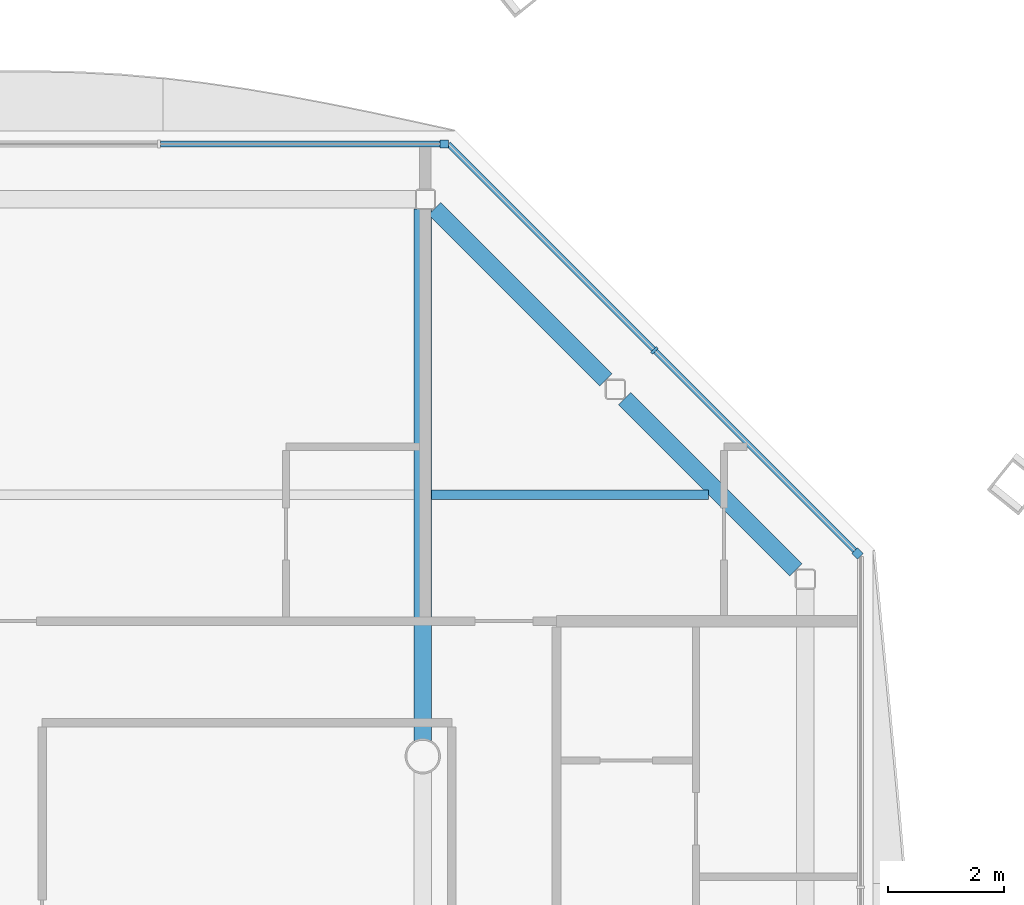
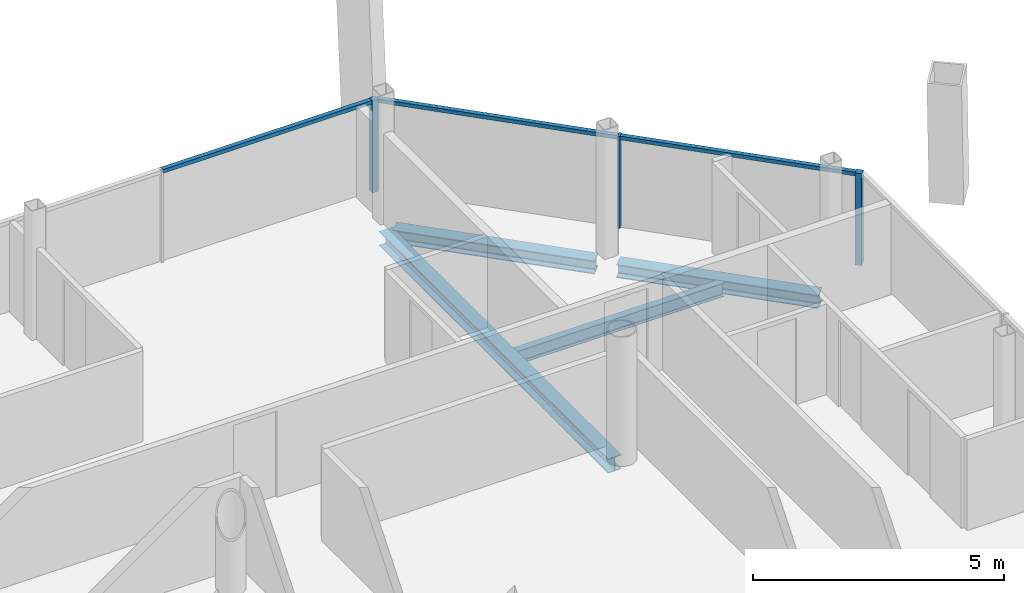
# One storey, part 10 of 19: 6 members, 4 beams, 2 elements without a shape of their own.
"""IFC4 building model written with IfcOpenShell, lengths in metres."""

from ifc_helpers import new_model, si_unit, direction, frame, origin, origin_2d, place, context, subcontext, project, spatial, rectangle, i_section, extrude, material, material_profile, profile_set, type_object, element, aggregate, save


model = new_model("IFC4")

# Units and contexts
model_context = context("Model", 3, precision=1e-05, world=origin(), true_north=direction((0.0, 1.0)))
body_context = subcontext(model_context, "Body", "Model", "MODEL_VIEW")
ifc_project = project(units=[si_unit("LENGTHUNIT", "METRE"), si_unit("AREAUNIT", "SQUARE_METRE"), si_unit("VOLUMEUNIT", "CUBIC_METRE"), si_unit("PLANEANGLEUNIT", "RADIAN"), si_unit("MASSUNIT", "GRAM", prefix="KILO")], contexts=[model_context])

# Site, building, storey
site_placement = place(None, origin())
site = spatial("IfcSite", under=ifc_project, at=site_placement, CompositionType="ELEMENT")
building_placement = place(site_placement, origin())
building = spatial("IfcBuilding", under=site, at=building_placement, Name="Tskaro Facet Tower", CompositionType="ELEMENT")
storey_placement = place(building_placement, frame((0.0, 0.0, 206.85009765625)))
storey = spatial("IfcBuildingStorey", under=building, at=storey_placement, Name="L53", CompositionType="ELEMENT", Elevation=206.85009765625)

# Curtain wall, member
ifc_material_1 = material(Name="Bronze anodised aluminium 6063-T6", Category="aluminium")
curtain_wall_type = type_object("IfcCurtainWallType", Name="Bronze residence curtain wall (FW3)", PredefinedType="NOTDEFINED", material=ifc_material_1)
curtain_wall_1_placement = place(storey_placement, origin())
curtain_wall_1 = element("IfcCurtainWall", 1, at=curtain_wall_1_placement, inside=storey, type_object=curtain_wall_type, Name="FW3 north-east facet L53", PredefinedType="NOTDEFINED")
ifc_material_profile_1 = material_profile(ifc_material_1, rectangle(XDim=0.139892578125, YDim=0.139892578125, at=origin_2d()), Name="Corner post 140x140")
ifc_profile_set_1 = profile_set([ifc_material_profile_1], Name="Bronze anodised aluminium 6063-T6")
member_type_1 = type_object("IfcMemberType", Name="FW3 bronze corner post 140x140", PredefinedType="MULLION", material=ifc_profile_set_1)
member_1_placement = place(storey_placement, frame((16.4833984375, 12.488525390625, 0.0), z_axis=(0.0, 0.0, 1.0), x_axis=(-0.707106781187, 0.707106781187, 0.0)))
member_1 = element("IfcMember", 2, at=member_1_placement, type_object=member_type_1, Name="FW3 north-east corner post", PredefinedType="MULLION", context=body_context, shape_type="SweptSolid", body=[
    extrude(rectangle(XDim=0.139892578125, YDim=0.139892578125, at=origin_2d()), origin(), (0.0, 0.0, 1.0), 2.239990234375),
])

curtain_wall_2_placement = place(storey_placement, origin())
curtain_wall_2 = element("IfcCurtainWall", 3, at=curtain_wall_2_placement, inside=storey, type_object=curtain_wall_type, Name="FW3 north facet L53", PredefinedType="NOTDEFINED")
member_2_placement = place(storey_placement, frame((9.368896484375, 19.532958984375, 0.0), z_axis=(0.0, 0.0, 1.0), x_axis=(-1.0, 0.0, 0.0)))
member_2 = element("IfcMember", 4, at=member_2_placement, type_object=member_type_1, Name="FW3 north corner post", PredefinedType="MULLION", context=body_context, shape_type="SweptSolid", body=[
    extrude(rectangle(XDim=0.139892578125, YDim=0.139892578125, at=origin_2d()), origin(), (0.0, 0.0, 1.0), 2.239990234375),
])

# Member
ifc_material_profile_2 = material_profile(ifc_material_1, rectangle(XDim=0.050048828125, YDim=0.139892578125, at=origin_2d()), Name="Mullion 50x140")
ifc_profile_set_2 = profile_set([ifc_material_profile_2], Name="Bronze anodised aluminium 6063-T6")
member_type_2 = type_object("IfcMemberType", Name="FW3 bronze mullion 50x140", PredefinedType="MULLION", material=ifc_profile_set_2)
member_3_placement = place(storey_placement, frame((12.986083984375, 15.986083984375, 0.0), z_axis=(0.0, 0.0, 1.0), x_axis=(-0.707106781187, 0.707106781187, 0.0)))
member_3 = element("IfcMember", 5, at=member_3_placement, type_object=member_type_2, Name="FW3 north-east mullion 1", PredefinedType="MULLION", context=body_context, shape_type="SweptSolid", body=[
    extrude(rectangle(XDim=0.050048828125, YDim=0.139892578125, at=origin_2d()), origin(), (0.0, 0.0, 1.0), 2.239990234375),
])

ifc_material_profile_3 = material_profile(ifc_material_1, rectangle(XDim=0.10009765625, YDim=0.090087890625, at=origin_2d()), Name="Transom 100x90")
ifc_profile_set_3 = profile_set([ifc_material_profile_3], Name="Bronze anodised aluminium 6063-T6")
member_type_3 = type_object("IfcMemberType", Name="FW3 bronze transom 100x90", PredefinedType="USERDEFINED", material=ifc_profile_set_3)
member_4_placement = place(storey_placement, frame((16.43408203125, 12.5380859375, 2.19482421875), z_axis=(-0.707131943786, 0.707081617692, 0.0), x_axis=(-0.707081617692, -0.707131943786, 0.0)))
member_4 = element("IfcMember", 6, at=member_4_placement, type_object=member_type_3, Name="FW3 north-east transom 1.1", ObjectType="TRANSOM", PredefinedType="USERDEFINED", context=body_context, shape_type="SweptSolid", body=[
    extrude(rectangle(XDim=0.10009765625, YDim=0.090087890625, at=origin_2d()), origin(), (0.0, 0.0, 1.0), 4.85107421875),
])

member_5_placement = place(storey_placement, frame((12.96826171875, 16.003662109375, 2.19482421875), z_axis=(-0.707106781187, 0.707106781187, 0.0), x_axis=(-0.707106781187, -0.707106781187, 0.0)))
member_5 = element("IfcMember", 7, at=member_5_placement, type_object=member_type_3, Name="FW3 north-east transom 2.1", ObjectType="TRANSOM", PredefinedType="USERDEFINED", context=body_context, shape_type="SweptSolid", body=[
    extrude(rectangle(XDim=0.10009765625, YDim=0.090087890625, at=origin_2d()), origin(), (0.0, 0.0, 1.0), 4.9912109375),
])

aggregate(curtain_wall_1, [member_1, member_3, member_4, member_5])

member_6_placement = place(storey_placement, frame((9.299072265625, 19.532958984375, 2.19482421875), z_axis=(-1.0, 0.0, 0.0), x_axis=(0.0, -1.0, 0.0)))
member_6 = element("IfcMember", 8, at=member_6_placement, type_object=member_type_3, Name="FW3 north transom 1.1", ObjectType="TRANSOM", PredefinedType="USERDEFINED", context=body_context, shape_type="SweptSolid", body=[
    extrude(rectangle(XDim=0.10009765625, YDim=0.090087890625, at=origin_2d()), origin(), (0.0, 0.0, 1.0), 4.810791015625),
])

aggregate(curtain_wall_2, [member_2, member_6])

# Beams
ifc_material_2 = material(Name="Steel S355J2", Category="steel")
ifc_material_profile_4 = material_profile(ifc_material_2, i_section(OverallWidth=0.300048828125, OverallDepth=0.320068359375, WebThickness=0.011474609375, FlangeThickness=0.0205078125, FilletRadius=0.027099609375, at=origin_2d()), Name="HE 320 B")
ifc_profile_set_4 = profile_set([ifc_material_profile_4], Name="Steel S355J2")
beam_type_1 = type_object("IfcBeamType", Name="HE 320 B ring beam", PredefinedType="BEAM", material=ifc_profile_set_4)
for number, where, z_axis, x_axis, name in (
    (9, (15.422119140625, 12.206787109375, -0.300048828125), (-0.70722393913, 0.706989603829, 0.0), (-0.706989603829, -0.70722393913, 0.0), "HE 320 B EB10-4"),
    (10, (12.153076171875, 15.474853515625, -0.300048828125), (-0.706989603829, 0.70722393913, 0.0), (-0.70722393913, -0.706989603829, 0.0), "HE 320 B EB11-4"),
):
    element("IfcBeam", number, at=place(storey_placement, frame(where, z_axis=z_axis, x_axis=x_axis)), inside=storey, type_object=beam_type_1, Name=name, PredefinedType="BEAM", context=body_context, shape_type="SweptSolid", body=[
        extrude(i_section(OverallWidth=0.300048828125, OverallDepth=0.320068359375, WebThickness=0.011474609375, FlangeThickness=0.0205078125, FilletRadius=0.027099609375, at=origin_2d()), origin(), (0.0, 0.0, 1.0), 4.16748046875),
    ])
ifc_material_profile_5 = material_profile(ifc_material_2, i_section(OverallWidth=0.300048828125, OverallDepth=0.35009765625, WebThickness=0.010009765625, FlangeThickness=0.017578125, FilletRadius=0.027099609375, at=origin_2d()), Name="HE 360 A")
ifc_profile_set_5 = profile_set([ifc_material_profile_5], Name="Steel S355J2")
beam_type_2 = type_object("IfcBeamType", Name="HE 360 A girder", PredefinedType="BEAM", material=ifc_profile_set_5)
beam_1_placement = place(storey_placement, frame((9.0, 9.27490234375, -0.315185546875), z_axis=(0.0, 1.0, 0.0), x_axis=(-1.0, 0.0, 0.0)))
element("IfcBeam", 11, at=beam_1_placement, inside=storey, type_object=beam_type_2, Name="HE 360 A GB5-3-4", PredefinedType="BEAM", context=body_context, shape_type="SweptSolid", body=[
    extrude(i_section(OverallWidth=0.300048828125, OverallDepth=0.35009765625, WebThickness=0.010009765625, FlangeThickness=0.017578125, FilletRadius=0.027099609375, at=origin_2d()), origin(), (0.0, 0.0, 1.0), 9.14208984375),
])
ifc_material_profile_6 = material_profile(ifc_material_2, i_section(OverallWidth=0.159912109375, OverallDepth=0.330078125, WebThickness=0.007568359375, FlangeThickness=0.011474609375, FilletRadius=0.01806640625, at=origin_2d()), Name="IPE 330")
ifc_profile_set_6 = profile_set([ifc_material_profile_6], Name="Steel S355J2")
beam_type_3 = type_object("IfcBeamType", Name="IPE 330 secondary beam", PredefinedType="BEAM", material=ifc_profile_set_6)
beam_2_placement = place(storey_placement, frame((9.14990234375, 13.5, -0.30517578125), z_axis=(1.0, 0.0, 0.0), x_axis=(0.0, 1.0, 0.0)))
element("IfcBeam", 12, at=beam_2_placement, inside=storey, type_object=beam_type_3, Name="IPE 330 SB5a-5-4", PredefinedType="BEAM", context=body_context, shape_type="SweptSolid", body=[
    extrude(i_section(OverallWidth=0.159912109375, OverallDepth=0.330078125, WebThickness=0.007568359375, FlangeThickness=0.011474609375, FilletRadius=0.01806640625, at=origin_2d()), origin(), (0.0, 0.0, 1.0), 4.76708984375),
])

save(model, "model.ifc")
